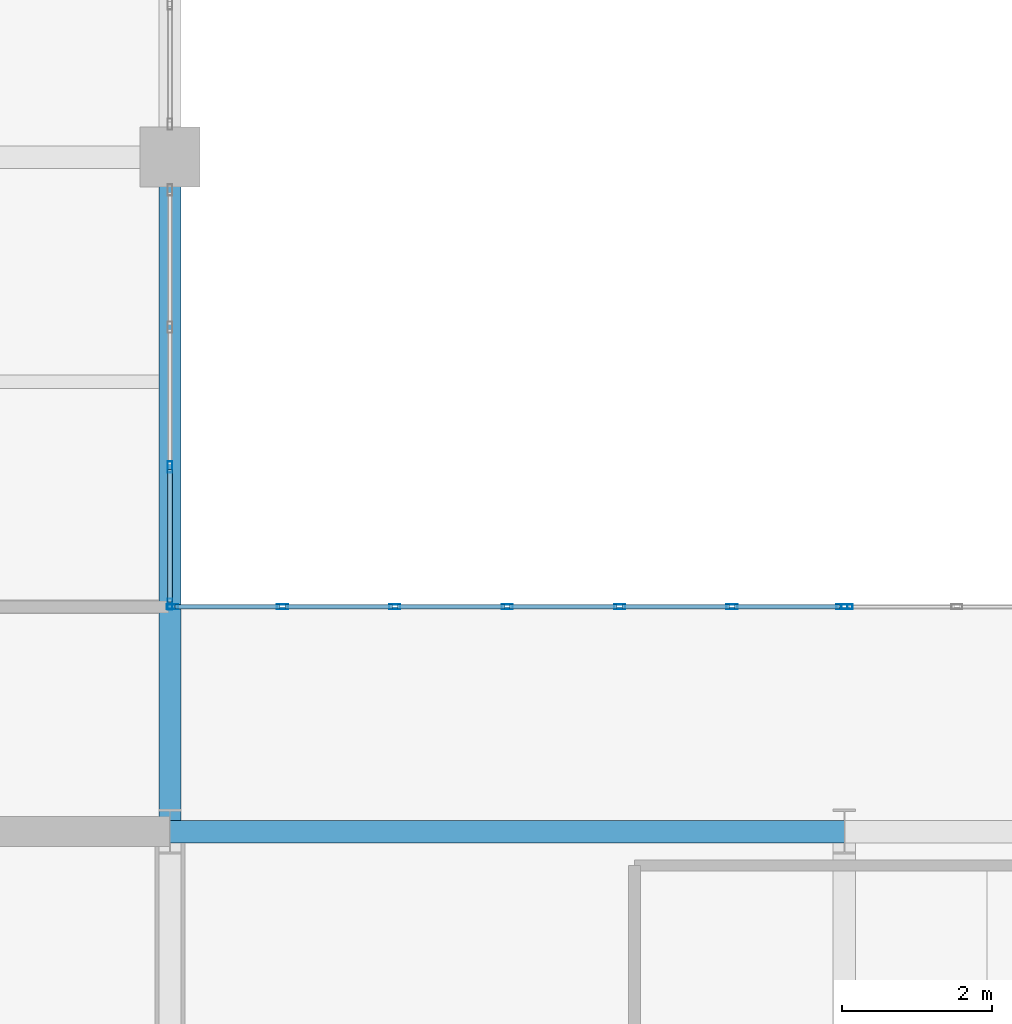
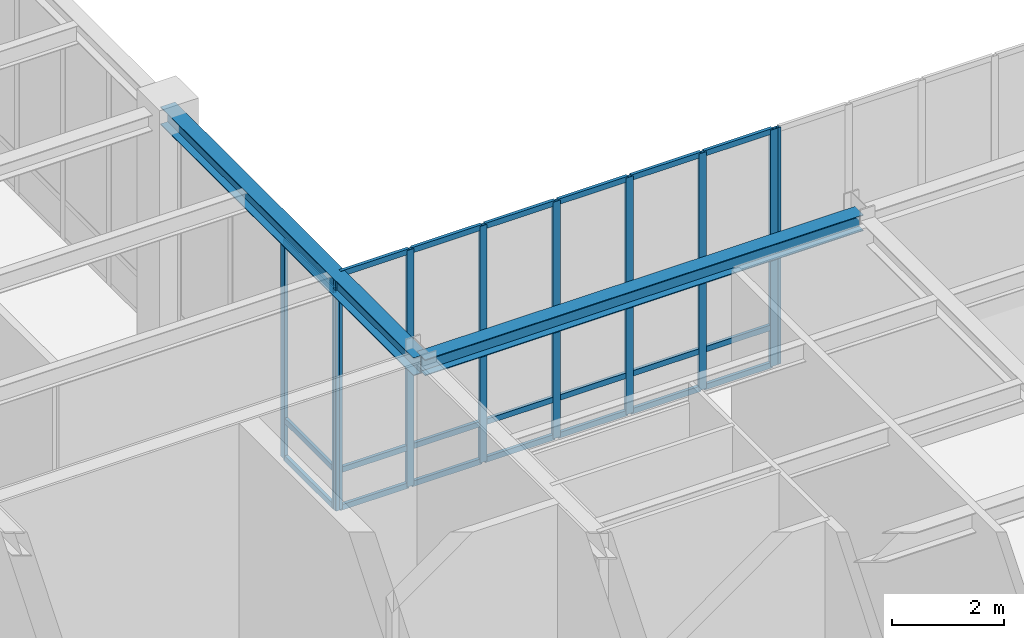
# One storey, part 16 of 77: 31 members, 2 beams, 3 elements without a shape of their own.
"""IFC4 building model written with IfcOpenShell, lengths in metres."""

from ifc_helpers import new_model, si_unit, direction, frame, origin, origin_2d, place, context, subcontext, project, spatial, hollow_rectangle, i_section, extrude, material, material_profile, profile_set, type_object, element, aggregate, save


model = new_model("IFC4")

# Units and contexts
model_context = context("Model", 3, precision=1e-05, world=origin(), true_north=direction((0.0, 1.0)))
body_context = subcontext(model_context, "Body", "Model", "MODEL_VIEW")
ifc_project = project(units=[si_unit("LENGTHUNIT", "METRE"), si_unit("AREAUNIT", "SQUARE_METRE"), si_unit("VOLUMEUNIT", "CUBIC_METRE"), si_unit("PLANEANGLEUNIT", "RADIAN"), si_unit("MASSUNIT", "GRAM", prefix="KILO")], contexts=[model_context])

# Site, building, storey
site_placement = place(None, origin())
site = spatial("IfcSite", under=ifc_project, at=site_placement, CompositionType="ELEMENT")
building_placement = place(site_placement, origin())
building = spatial("IfcBuilding", under=site, at=building_placement, Name="Lykobir Media Centre", CompositionType="ELEMENT")
storey_placement = place(building_placement, origin())
storey = spatial("IfcBuildingStorey", under=building, at=storey_placement, Name="L00", CompositionType="ELEMENT", Elevation=0.0)

# Beam
ifc_material_1 = material(Name="Steel S355", Category="steel")
ifc_material_profile_1 = material_profile(ifc_material_1, i_section(OverallWidth=0.300048828125, OverallDepth=0.389892578125, WebThickness=0.010986328125, FlangeThickness=0.01904296875, at=origin_2d()), Name="HEA 400")
ifc_profile_set_1 = profile_set([ifc_material_profile_1], Name="Steel S355")
beam_type_1 = type_object("IfcBeamType", Name="BM-HEA400", PredefinedType="BEAM", material=ifc_profile_set_1)
beam_1_placement = place(storey_placement, frame((36.0, 18.0, 4.965087890625), z_axis=(0.0, 1.0, 0.0), x_axis=(-1.0, 0.0, 0.0)))
element("IfcBeam", 1, at=beam_1_placement, inside=storey, type_object=beam_type_1, Name="Beam BM-L00-0360-0180-0360-0270-496", PredefinedType="BEAM", context=body_context, shape_type="SweptSolid", body=[
    extrude(i_section(OverallWidth=0.300048828125, OverallDepth=0.389892578125, WebThickness=0.010986328125, FlangeThickness=0.01904296875, at=origin_2d()), origin(), (0.0, 0.0, 1.0), 9.0),
])

# Curtain wall, members
ifc_material_2 = material(Name="Anodized Aluminium AW-6060", Category="aluminium")
curtain_wall_type = type_object("IfcCurtainWallType", Name="CW-COURT-A", PredefinedType="NOTDEFINED", material=ifc_material_2)
curtain_wall_1_placement = place(storey_placement, origin())
curtain_wall_1 = element("IfcCurtainWall", 2, at=curtain_wall_1_placement, inside=storey, type_object=curtain_wall_type, Name="Curtain wall CW2-L00-0010", PredefinedType="NOTDEFINED")
ifc_material_profile_2 = material_profile(ifc_material_2, hollow_rectangle(XDim=0.06494140625, YDim=0.14990234375, WallThickness=0.00341796875, at=origin_2d()), Name="ALU MULLION 65x150")
ifc_profile_set_2 = profile_set([ifc_material_profile_2], Name="Anodized Aluminium AW-6060")
member_type_1 = type_object("IfcMemberType", Name="CWM-150", PredefinedType="MULLION", material=ifc_profile_set_2)
member_1_placement = place(storey_placement, frame((36.032470703125, 21.0, 0.0), z_axis=(0.0, 0.0, 1.0), x_axis=(0.0, 1.0, 0.0)))
member_1 = element("IfcMember", 3, at=member_1_placement, type_object=member_type_1, Name="CW2-L00-0010 mullion 1", PredefinedType="MULLION", context=body_context, shape_type="SweptSolid", body=[
    extrude(hollow_rectangle(XDim=0.06494140625, YDim=0.14990234375, WallThickness=0.00341796875, at=origin_2d()), origin(), (0.0, 0.0, 1.0), 5.139892578125),
])
member_2_placement = place(storey_placement, frame((37.5, 21.0, 0.0), z_axis=(0.0, 0.0, 1.0), x_axis=(0.0, 1.0, 0.0)))
member_2 = element("IfcMember", 4, at=member_2_placement, type_object=member_type_1, Name="CW2-L00-0010 mullion 2", PredefinedType="MULLION", context=body_context, shape_type="SweptSolid", body=[
    extrude(hollow_rectangle(XDim=0.06494140625, YDim=0.14990234375, WallThickness=0.00341796875, at=origin_2d()), origin(), (0.0, 0.0, 1.0), 5.139892578125),
])
member_3_placement = place(storey_placement, frame((39.0, 21.0, 0.0), z_axis=(0.0, 0.0, 1.0), x_axis=(0.0, 1.0, 0.0)))
member_3 = element("IfcMember", 5, at=member_3_placement, type_object=member_type_1, Name="CW2-L00-0010 mullion 3", PredefinedType="MULLION", context=body_context, shape_type="SweptSolid", body=[
    extrude(hollow_rectangle(XDim=0.06494140625, YDim=0.14990234375, WallThickness=0.00341796875, at=origin_2d()), origin(), (0.0, 0.0, 1.0), 5.139892578125),
])
member_4_placement = place(storey_placement, frame((40.5, 21.0, 0.0), z_axis=(0.0, 0.0, 1.0), x_axis=(0.0, 1.0, 0.0)))
member_4 = element("IfcMember", 6, at=member_4_placement, type_object=member_type_1, Name="CW2-L00-0010 mullion 4", PredefinedType="MULLION", context=body_context, shape_type="SweptSolid", body=[
    extrude(hollow_rectangle(XDim=0.06494140625, YDim=0.14990234375, WallThickness=0.00341796875, at=origin_2d()), origin(), (0.0, 0.0, 1.0), 5.139892578125),
])
member_5_placement = place(storey_placement, frame((42.0, 21.0, 0.0), z_axis=(0.0, 0.0, 1.0), x_axis=(0.0, 1.0, 0.0)))
member_5 = element("IfcMember", 7, at=member_5_placement, type_object=member_type_1, Name="CW2-L00-0010 mullion 5", PredefinedType="MULLION", context=body_context, shape_type="SweptSolid", body=[
    extrude(hollow_rectangle(XDim=0.06494140625, YDim=0.14990234375, WallThickness=0.00341796875, at=origin_2d()), origin(), (0.0, 0.0, 1.0), 5.139892578125),
])
member_6_placement = place(storey_placement, frame((43.5, 21.0, 0.0), z_axis=(0.0, 0.0, 1.0), x_axis=(0.0, 1.0, 0.0)))
member_6 = element("IfcMember", 8, at=member_6_placement, type_object=member_type_1, Name="CW2-L00-0010 mullion 6", PredefinedType="MULLION", context=body_context, shape_type="SweptSolid", body=[
    extrude(hollow_rectangle(XDim=0.06494140625, YDim=0.14990234375, WallThickness=0.00341796875, at=origin_2d()), origin(), (0.0, 0.0, 1.0), 5.139892578125),
])
member_7_placement = place(storey_placement, frame((44.967529296875, 21.0, 0.0), z_axis=(0.0, 0.0, 1.0), x_axis=(0.0, 1.0, 0.0)))
member_7 = element("IfcMember", 9, at=member_7_placement, type_object=member_type_1, Name="CW2-L00-0010 mullion 7", PredefinedType="MULLION", context=body_context, shape_type="SweptSolid", body=[
    extrude(hollow_rectangle(XDim=0.06494140625, YDim=0.14990234375, WallThickness=0.00341796875, at=origin_2d()), origin(), (0.0, 0.0, 1.0), 5.139892578125),
])

# Curtain wall, member
curtain_wall_2_placement = place(storey_placement, origin())
curtain_wall_2 = element("IfcCurtainWall", 10, at=curtain_wall_2_placement, inside=storey, type_object=curtain_wall_type, Name="Curtain wall CW2-L00-0011", PredefinedType="NOTDEFINED")
member_8_placement = place(storey_placement, frame((45.032470703125, 21.0, 0.0), z_axis=(0.0, 0.0, 1.0), x_axis=(0.0, 1.0, 0.0)))
member_8 = element("IfcMember", 11, at=member_8_placement, type_object=member_type_1, Name="CW2-L00-0011 mullion 1", PredefinedType="MULLION", context=body_context, shape_type="SweptSolid", body=[
    extrude(hollow_rectangle(XDim=0.06494140625, YDim=0.14990234375, WallThickness=0.00341796875, at=origin_2d()), origin(), (0.0, 0.0, 1.0), 5.139892578125),
])
aggregate(curtain_wall_2, [member_8])

# Curtain wall, members
curtain_wall_3_placement = place(storey_placement, origin())
curtain_wall_3 = element("IfcCurtainWall", 12, at=curtain_wall_3_placement, inside=storey, type_object=curtain_wall_type, Name="Curtain wall CW2-L00-0014", PredefinedType="NOTDEFINED")
member_9_placement = place(storey_placement, frame((36.0, 22.864990234375, 0.0), z_axis=(0.0, 0.0, 1.0), x_axis=(1.0, 0.0, 0.0)))
member_9 = element("IfcMember", 13, at=member_9_placement, type_object=member_type_1, Name="CW2-L00-0014 mullion 3", PredefinedType="MULLION", context=body_context, shape_type="SweptSolid", body=[
    extrude(hollow_rectangle(XDim=0.06494140625, YDim=0.14990234375, WallThickness=0.00341796875, at=origin_2d()), origin(), (0.0, 0.0, 1.0), 4.7548828125),
])
member_10_placement = place(storey_placement, frame((36.0, 21.032470703125, 0.0), z_axis=(0.0, 0.0, 1.0), x_axis=(1.0, 0.0, 0.0)))
member_10 = element("IfcMember", 14, at=member_10_placement, type_object=member_type_1, Name="CW2-L00-0014 mullion 4", PredefinedType="MULLION", context=body_context, shape_type="SweptSolid", body=[
    extrude(hollow_rectangle(XDim=0.06494140625, YDim=0.14990234375, WallThickness=0.00341796875, at=origin_2d()), origin(), (0.0, 0.0, 1.0), 4.7548828125),
])

# Member
ifc_material_profile_3 = material_profile(ifc_material_2, hollow_rectangle(XDim=0.06494140625, YDim=0.1201171875, WallThickness=0.0029296875, at=origin_2d()), Name="ALU TRANSOM 65x120")
ifc_profile_set_3 = profile_set([ifc_material_profile_3], Name="Anodized Aluminium AW-6060")
member_type_2 = type_object("IfcMemberType", Name="CWT-120", PredefinedType="USERDEFINED", material=ifc_profile_set_3)
member_11_placement = place(storey_placement, frame((36.06494140625, 21.0, 0.032470703125), z_axis=(1.0, 0.0, 0.0), x_axis=(0.0, 1.0, 0.0)))
member_11 = element("IfcMember", 15, at=member_11_placement, type_object=member_type_2, Name="CW2-L00-0010 transom 1.1", ObjectType="TRANSOM", PredefinedType="USERDEFINED", context=body_context, shape_type="SweptSolid", body=[
    extrude(hollow_rectangle(XDim=0.06494140625, YDim=0.1201171875, WallThickness=0.0029296875, at=origin_2d()), origin(), (0.0, 0.0, 1.0), 1.402587890625),
])

member_12_placement = place(storey_placement, frame((36.06494140625, 21.0, 0.85009765625), z_axis=(1.0, 0.0, 0.0), x_axis=(0.0, 1.0, 0.0)))
member_12 = element("IfcMember", 16, at=member_12_placement, type_object=member_type_2, Name="CW2-L00-0010 transom 1.2", ObjectType="TRANSOM", PredefinedType="USERDEFINED", context=body_context, shape_type="SweptSolid", body=[
    extrude(hollow_rectangle(XDim=0.06494140625, YDim=0.1201171875, WallThickness=0.0029296875, at=origin_2d()), origin(), (0.0, 0.0, 1.0), 1.402587890625),
])

member_13_placement = place(storey_placement, frame((36.06494140625, 21.0, 5.107421875), z_axis=(1.0, 0.0, 0.0), x_axis=(0.0, 1.0, 0.0)))
member_13 = element("IfcMember", 17, at=member_13_placement, type_object=member_type_2, Name="CW2-L00-0010 transom 1.3", ObjectType="TRANSOM", PredefinedType="USERDEFINED", context=body_context, shape_type="SweptSolid", body=[
    extrude(hollow_rectangle(XDim=0.06494140625, YDim=0.1201171875, WallThickness=0.0029296875, at=origin_2d()), origin(), (0.0, 0.0, 1.0), 1.402587890625),
])

member_14_placement = place(storey_placement, frame((37.532470703125, 21.0, 0.032470703125), z_axis=(1.0, 0.0, 0.0), x_axis=(0.0, 1.0, 0.0)))
member_14 = element("IfcMember", 18, at=member_14_placement, type_object=member_type_2, Name="CW2-L00-0010 transom 2.1", ObjectType="TRANSOM", PredefinedType="USERDEFINED", context=body_context, shape_type="SweptSolid", body=[
    extrude(hollow_rectangle(XDim=0.06494140625, YDim=0.1201171875, WallThickness=0.0029296875, at=origin_2d()), origin(), (0.0, 0.0, 1.0), 1.43505859375),
])

member_15_placement = place(storey_placement, frame((37.532470703125, 21.0, 0.85009765625), z_axis=(1.0, 0.0, 0.0), x_axis=(0.0, 1.0, 0.0)))
member_15 = element("IfcMember", 19, at=member_15_placement, type_object=member_type_2, Name="CW2-L00-0010 transom 2.2", ObjectType="TRANSOM", PredefinedType="USERDEFINED", context=body_context, shape_type="SweptSolid", body=[
    extrude(hollow_rectangle(XDim=0.06494140625, YDim=0.1201171875, WallThickness=0.0029296875, at=origin_2d()), origin(), (0.0, 0.0, 1.0), 1.43505859375),
])

member_16_placement = place(storey_placement, frame((37.532470703125, 21.0, 5.107421875), z_axis=(1.0, 0.0, 0.0), x_axis=(0.0, 1.0, 0.0)))
member_16 = element("IfcMember", 20, at=member_16_placement, type_object=member_type_2, Name="CW2-L00-0010 transom 2.3", ObjectType="TRANSOM", PredefinedType="USERDEFINED", context=body_context, shape_type="SweptSolid", body=[
    extrude(hollow_rectangle(XDim=0.06494140625, YDim=0.1201171875, WallThickness=0.0029296875, at=origin_2d()), origin(), (0.0, 0.0, 1.0), 1.43505859375),
])

member_17_placement = place(storey_placement, frame((39.032470703125, 21.0, 0.032470703125), z_axis=(1.0, 0.0, 0.0), x_axis=(0.0, 1.0, 0.0)))
member_17 = element("IfcMember", 21, at=member_17_placement, type_object=member_type_2, Name="CW2-L00-0010 transom 3.1", ObjectType="TRANSOM", PredefinedType="USERDEFINED", context=body_context, shape_type="SweptSolid", body=[
    extrude(hollow_rectangle(XDim=0.06494140625, YDim=0.1201171875, WallThickness=0.0029296875, at=origin_2d()), origin(), (0.0, 0.0, 1.0), 1.43505859375),
])

member_18_placement = place(storey_placement, frame((39.032470703125, 21.0, 0.85009765625), z_axis=(1.0, 0.0, 0.0), x_axis=(0.0, 1.0, 0.0)))
member_18 = element("IfcMember", 22, at=member_18_placement, type_object=member_type_2, Name="CW2-L00-0010 transom 3.2", ObjectType="TRANSOM", PredefinedType="USERDEFINED", context=body_context, shape_type="SweptSolid", body=[
    extrude(hollow_rectangle(XDim=0.06494140625, YDim=0.1201171875, WallThickness=0.0029296875, at=origin_2d()), origin(), (0.0, 0.0, 1.0), 1.43505859375),
])

member_19_placement = place(storey_placement, frame((39.032470703125, 21.0, 5.107421875), z_axis=(1.0, 0.0, 0.0), x_axis=(0.0, 1.0, 0.0)))
member_19 = element("IfcMember", 23, at=member_19_placement, type_object=member_type_2, Name="CW2-L00-0010 transom 3.3", ObjectType="TRANSOM", PredefinedType="USERDEFINED", context=body_context, shape_type="SweptSolid", body=[
    extrude(hollow_rectangle(XDim=0.06494140625, YDim=0.1201171875, WallThickness=0.0029296875, at=origin_2d()), origin(), (0.0, 0.0, 1.0), 1.43505859375),
])

member_20_placement = place(storey_placement, frame((40.532470703125, 21.0, 0.032470703125), z_axis=(1.0, 0.0, 0.0), x_axis=(0.0, 1.0, 0.0)))
member_20 = element("IfcMember", 24, at=member_20_placement, type_object=member_type_2, Name="CW2-L00-0010 transom 4.1", ObjectType="TRANSOM", PredefinedType="USERDEFINED", context=body_context, shape_type="SweptSolid", body=[
    extrude(hollow_rectangle(XDim=0.06494140625, YDim=0.1201171875, WallThickness=0.0029296875, at=origin_2d()), origin(), (0.0, 0.0, 1.0), 1.43505859375),
])

member_21_placement = place(storey_placement, frame((40.532470703125, 21.0, 0.85009765625), z_axis=(1.0, 0.0, 0.0), x_axis=(0.0, 1.0, 0.0)))
member_21 = element("IfcMember", 25, at=member_21_placement, type_object=member_type_2, Name="CW2-L00-0010 transom 4.2", ObjectType="TRANSOM", PredefinedType="USERDEFINED", context=body_context, shape_type="SweptSolid", body=[
    extrude(hollow_rectangle(XDim=0.06494140625, YDim=0.1201171875, WallThickness=0.0029296875, at=origin_2d()), origin(), (0.0, 0.0, 1.0), 1.43505859375),
])

member_22_placement = place(storey_placement, frame((40.532470703125, 21.0, 5.107421875), z_axis=(1.0, 0.0, 0.0), x_axis=(0.0, 1.0, 0.0)))
member_22 = element("IfcMember", 26, at=member_22_placement, type_object=member_type_2, Name="CW2-L00-0010 transom 4.3", ObjectType="TRANSOM", PredefinedType="USERDEFINED", context=body_context, shape_type="SweptSolid", body=[
    extrude(hollow_rectangle(XDim=0.06494140625, YDim=0.1201171875, WallThickness=0.0029296875, at=origin_2d()), origin(), (0.0, 0.0, 1.0), 1.43505859375),
])

member_23_placement = place(storey_placement, frame((42.032470703125, 21.0, 0.032470703125), z_axis=(1.0, 0.0, 0.0), x_axis=(0.0, 1.0, 0.0)))
member_23 = element("IfcMember", 27, at=member_23_placement, type_object=member_type_2, Name="CW2-L00-0010 transom 5.1", ObjectType="TRANSOM", PredefinedType="USERDEFINED", context=body_context, shape_type="SweptSolid", body=[
    extrude(hollow_rectangle(XDim=0.06494140625, YDim=0.1201171875, WallThickness=0.0029296875, at=origin_2d()), origin(), (0.0, 0.0, 1.0), 1.43505859375),
])

member_24_placement = place(storey_placement, frame((42.032470703125, 21.0, 0.85009765625), z_axis=(1.0, 0.0, 0.0), x_axis=(0.0, 1.0, 0.0)))
member_24 = element("IfcMember", 28, at=member_24_placement, type_object=member_type_2, Name="CW2-L00-0010 transom 5.2", ObjectType="TRANSOM", PredefinedType="USERDEFINED", context=body_context, shape_type="SweptSolid", body=[
    extrude(hollow_rectangle(XDim=0.06494140625, YDim=0.1201171875, WallThickness=0.0029296875, at=origin_2d()), origin(), (0.0, 0.0, 1.0), 1.43505859375),
])

member_25_placement = place(storey_placement, frame((42.032470703125, 21.0, 5.107421875), z_axis=(1.0, 0.0, 0.0), x_axis=(0.0, 1.0, 0.0)))
member_25 = element("IfcMember", 29, at=member_25_placement, type_object=member_type_2, Name="CW2-L00-0010 transom 5.3", ObjectType="TRANSOM", PredefinedType="USERDEFINED", context=body_context, shape_type="SweptSolid", body=[
    extrude(hollow_rectangle(XDim=0.06494140625, YDim=0.1201171875, WallThickness=0.0029296875, at=origin_2d()), origin(), (0.0, 0.0, 1.0), 1.43505859375),
])

member_26_placement = place(storey_placement, frame((43.532470703125, 21.0, 0.032470703125), z_axis=(1.0, 0.0, 0.0), x_axis=(0.0, 1.0, 0.0)))
member_26 = element("IfcMember", 30, at=member_26_placement, type_object=member_type_2, Name="CW2-L00-0010 transom 6.1", ObjectType="TRANSOM", PredefinedType="USERDEFINED", context=body_context, shape_type="SweptSolid", body=[
    extrude(hollow_rectangle(XDim=0.06494140625, YDim=0.1201171875, WallThickness=0.0029296875, at=origin_2d()), origin(), (0.0, 0.0, 1.0), 1.402587890625),
])

member_27_placement = place(storey_placement, frame((43.532470703125, 21.0, 0.85009765625), z_axis=(1.0, 0.0, 0.0), x_axis=(0.0, 1.0, 0.0)))
member_27 = element("IfcMember", 31, at=member_27_placement, type_object=member_type_2, Name="CW2-L00-0010 transom 6.2", ObjectType="TRANSOM", PredefinedType="USERDEFINED", context=body_context, shape_type="SweptSolid", body=[
    extrude(hollow_rectangle(XDim=0.06494140625, YDim=0.1201171875, WallThickness=0.0029296875, at=origin_2d()), origin(), (0.0, 0.0, 1.0), 1.402587890625),
])

member_28_placement = place(storey_placement, frame((43.532470703125, 21.0, 5.107421875), z_axis=(1.0, 0.0, 0.0), x_axis=(0.0, 1.0, 0.0)))
member_28 = element("IfcMember", 32, at=member_28_placement, type_object=member_type_2, Name="CW2-L00-0010 transom 6.3", ObjectType="TRANSOM", PredefinedType="USERDEFINED", context=body_context, shape_type="SweptSolid", body=[
    extrude(hollow_rectangle(XDim=0.06494140625, YDim=0.1201171875, WallThickness=0.0029296875, at=origin_2d()), origin(), (0.0, 0.0, 1.0), 1.402587890625),
])

aggregate(curtain_wall_1, [member_1, member_2, member_3, member_4, member_5, member_6, member_7, member_11, member_12, member_13, member_14, member_15, member_16, member_17, member_18, member_19, member_20, member_21, member_22, member_23, member_24, member_25, member_26, member_27, member_28])

member_29_placement = place(storey_placement, frame((36.0, 22.83251953125, 0.032470703125), z_axis=(0.0, -1.0, 0.0), x_axis=(1.0, 0.0, 0.0)))
member_29 = element("IfcMember", 33, at=member_29_placement, type_object=member_type_2, Name="CW2-L00-0014 transom 3.1", ObjectType="TRANSOM", PredefinedType="USERDEFINED", context=body_context, shape_type="SweptSolid", body=[
    extrude(hollow_rectangle(XDim=0.06494140625, YDim=0.1201171875, WallThickness=0.0029296875, at=origin_2d()), origin(), (0.0, 0.0, 1.0), 1.767578125),
])

member_30_placement = place(storey_placement, frame((36.0, 22.83251953125, 0.85009765625), z_axis=(0.0, -1.0, 0.0), x_axis=(1.0, 0.0, 0.0)))
member_30 = element("IfcMember", 34, at=member_30_placement, type_object=member_type_2, Name="CW2-L00-0014 transom 3.2", ObjectType="TRANSOM", PredefinedType="USERDEFINED", context=body_context, shape_type="SweptSolid", body=[
    extrude(hollow_rectangle(XDim=0.06494140625, YDim=0.1201171875, WallThickness=0.0029296875, at=origin_2d()), origin(), (0.0, 0.0, 1.0), 1.767578125),
])

member_31_placement = place(storey_placement, frame((36.0, 22.83251953125, 4.722412109375), z_axis=(0.0, -1.0, 0.0), x_axis=(1.0, 0.0, 0.0)))
member_31 = element("IfcMember", 35, at=member_31_placement, type_object=member_type_2, Name="CW2-L00-0014 transom 3.3", ObjectType="TRANSOM", PredefinedType="USERDEFINED", context=body_context, shape_type="SweptSolid", body=[
    extrude(hollow_rectangle(XDim=0.06494140625, YDim=0.1201171875, WallThickness=0.0029296875, at=origin_2d()), origin(), (0.0, 0.0, 1.0), 1.767578125),
])

aggregate(curtain_wall_3, [member_9, member_10, member_29, member_30, member_31])

# Beam
ifc_material_profile_4 = material_profile(ifc_material_1, i_section(OverallWidth=0.300048828125, OverallDepth=0.35009765625, WebThickness=0.010009765625, FlangeThickness=0.017578125, at=origin_2d()), Name="HEA 360")
ifc_profile_set_4 = profile_set([ifc_material_profile_4], Name="Steel S355")
beam_type_2 = type_object("IfcBeamType", Name="SP-HEA360", PredefinedType="SPANDREL", material=ifc_profile_set_4)
beam_2_placement = place(storey_placement, frame((36.0, 18.0, 4.985107421875), z_axis=(1.0, 0.0, 0.0), x_axis=(0.0, 1.0, 0.0)))
element("IfcBeam", 36, at=beam_2_placement, inside=storey, type_object=beam_type_2, Name="Beam BM-L00-0360-0180-0450-0180-499", PredefinedType="SPANDREL", context=body_context, shape_type="SweptSolid", body=[
    extrude(i_section(OverallWidth=0.300048828125, OverallDepth=0.35009765625, WebThickness=0.010009765625, FlangeThickness=0.017578125, at=origin_2d()), origin(), (0.0, 0.0, 1.0), 9.0),
])

save(model, "model.ifc")
